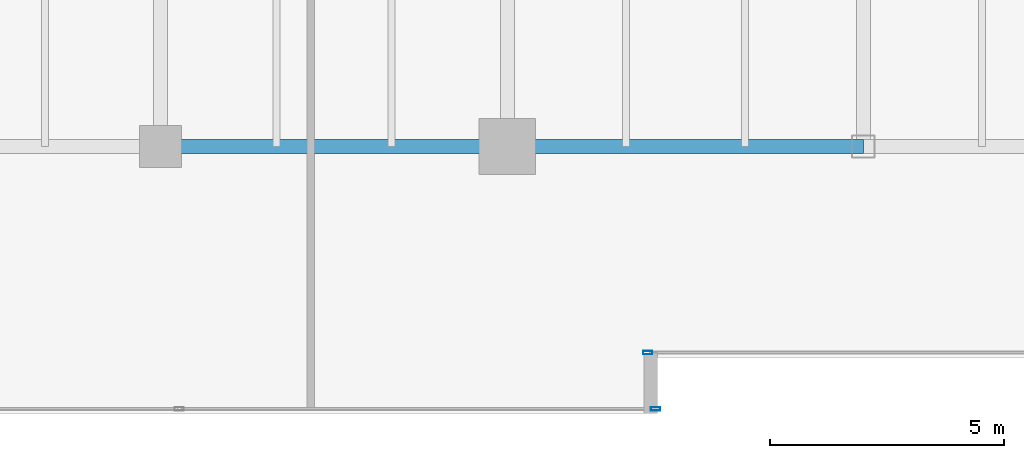
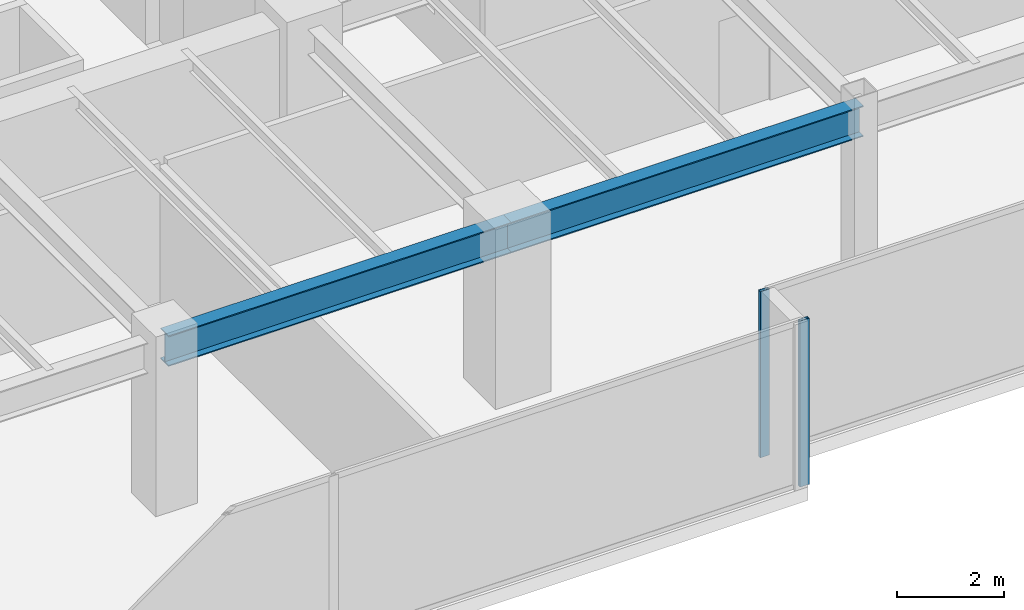
# One storey, part 4 of 30: 2 beams, 2 members, 2 elements without a shape of their own.
"""IFC4 building model written with IfcOpenShell, lengths in metres."""

import ifcopenshell
import ifcopenshell.guid

model = None  # the IFC model being written
_history = None  # IfcOwnerHistory: only IFC2X3 demands one
_inside = {}  # id of a spatial element -> (the spatial element, [elements in it])
_under = {}  # id of a project, library or spatial element -> (it, [spatial elements below it])
_declared = {}  # id of a project -> (the project, [libraries it declares])
_typed = {}  # id of a type object -> (the type object, [elements of that type])
_made_of = {}  # id of a material, layer set ... -> (it, [elements and type objects made of it])


def new_model(schema):
    """Start an empty IFC model of exactly this schema.

    Asked for "IFC4X3", IfcOpenShell would pick the latest addendum, in which some entities
    have other attributes; the version numbers below select the first issue.
    IFC2X3 requires an IfcOwnerHistory on every rooted entity: one is made here for all.
    """
    global model, _history
    if schema == "IFC4X3":
        model = ifcopenshell.file(schema_version=(4, 3, 0, 0))
    else:
        model = ifcopenshell.file(schema=schema)
    _inside.clear()
    _under.clear()
    _declared.clear()
    _typed.clear()
    _made_of.clear()
    _history = None
    if model.schema == "IFC2X3":
        org = make("IfcOrganization", Name="unknown")
        user = make(
            "IfcPersonAndOrganization",
            ThePerson=make("IfcPerson", FamilyName="unknown"),
            TheOrganization=org,
        )
        app = make(
            "IfcApplication",
            ApplicationDeveloper=org,
            Version="unknown",
            ApplicationFullName="unknown",
            ApplicationIdentifier="unknown",
        )
        _history = make(
            "IfcOwnerHistory",
            OwningUser=user,
            OwningApplication=app,
            ChangeAction="ADDED",
            CreationDate=0,
        )
    return model


def make(cls, **values):
    """One entity of the class cls with the attributes given. An attribute that is None is left unset."""
    return model.create_entity(
        cls, **{name: value for name, value in values.items() if value is not None}
    )


def rooted(cls, **values):
    """An entity with a GlobalId (a new one), such as an element, a storey or a relation."""
    return make(cls, GlobalId=ifcopenshell.guid.new(), OwnerHistory=_history, **values)


def si_unit(unit_type, name, prefix=None):
    """IfcSIUnit, for example si_unit("LENGTHUNIT", "METRE", prefix="MILLI")."""
    return make("IfcSIUnit", UnitType=unit_type, Prefix=prefix, Name=name)


def assignment(units):
    """IfcUnitAssignment: the units of a project."""
    return None if units is None else make("IfcUnitAssignment", Units=units)


def point(xyz):
    """IfcCartesianPoint."""
    return None if xyz is None else make("IfcCartesianPoint", Coordinates=xyz)


def direction(xyz):
    """IfcDirection."""
    return None if xyz is None else make("IfcDirection", DirectionRatios=xyz)


def frame(location, z_axis=None, x_axis=None):
    """IfcAxis2Placement3D, a coordinate frame: its origin and axes. An axis left out is left unset."""
    return make(
        "IfcAxis2Placement3D",
        Location=point(location),
        Axis=direction(z_axis),
        RefDirection=direction(x_axis),
    )


def frame_2d(location, x_axis=None):
    """IfcAxis2Placement2D, a coordinate frame in the plane: its origin and x axis."""
    return make(
        "IfcAxis2Placement2D", Location=point(location), RefDirection=direction(x_axis)
    )


def origin():
    """The frame at (0, 0, 0) with its axes left unset."""
    return frame((0.0, 0.0, 0.0))


def origin_2d():
    """The frame at (0, 0) in the plane with its x axis left unset."""
    return frame_2d((0.0, 0.0))


def place(relative_to, where):
    """IfcLocalPlacement: puts the frame where relative to a parent placement (None: the world)."""
    return make(
        "IfcLocalPlacement", PlacementRelTo=relative_to, RelativePlacement=where
    )


def context(
    kind, dimensions, precision=None, world=None, true_north=None, identifier=None
):
    """IfcGeometricRepresentationContext, for example the 3D "Model" context."""
    return make(
        "IfcGeometricRepresentationContext",
        ContextIdentifier=identifier,
        ContextType=kind,
        CoordinateSpaceDimension=dimensions,
        Precision=precision,
        WorldCoordinateSystem=world,
        TrueNorth=true_north,
    )


def subcontext(parent, identifier, kind, view, scale=None):
    """IfcGeometricRepresentationSubContext, for example "Body" below "Model"."""
    return make(
        "IfcGeometricRepresentationSubContext",
        ContextIdentifier=identifier,
        ContextType=kind,
        ParentContext=parent,
        TargetScale=scale,
        TargetView=view,
    )


def project(units=None, contexts=None):
    """IfcProject with its units and contexts."""
    return rooted(
        "IfcProject",
        Name="project",
        RepresentationContexts=contexts,
        UnitsInContext=assignment(units),
    )


def spatial(cls, under=None, at=None, **own):
    """A site, building, storey or space (cls), placed at a placement, below another one or the project."""
    s = rooted(cls, ObjectPlacement=at, **own)
    if under is not None:
        _under.setdefault(under.id(), (under, []))[1].append(s)
    return s


def profile(cls, at=None, kind="AREA", **sizes):
    """A parametric profile (cls). Its sizes go by their IFC names, for example OverallWidth=200.0."""
    return make(cls, ProfileType=kind, Position=at, **sizes)


def hollow_rectangle(**sizes):
    """IfcRectangleHollowProfileDef."""
    return profile("IfcRectangleHollowProfileDef", **sizes)


def i_section(**sizes):
    """IfcIShapeProfileDef."""
    return profile("IfcIShapeProfileDef", **sizes)


def extrude(swept, where, along, depth):
    """IfcExtrudedAreaSolid: the profile swept, set in the frame where, extruded along a direction by depth."""
    return make(
        "IfcExtrudedAreaSolid",
        SweptArea=swept,
        Position=where,
        ExtrudedDirection=direction(along),
        Depth=depth,
    )


def shape(context_of_items, identifier, shape_type, items):
    """IfcShapeRepresentation: the items that make up one representation, for example the "Body"."""
    return make(
        "IfcShapeRepresentation",
        ContextOfItems=context_of_items,
        RepresentationIdentifier=identifier,
        RepresentationType=shape_type,
        Items=items,
    )


def source(mapping_origin, context_of_items, identifier, shape_type, items):
    """IfcRepresentationMap: a shape defined once, which mapped items show again and again."""
    return make(
        "IfcRepresentationMap",
        MappingOrigin=mapping_origin,
        MappedRepresentation=shape(context_of_items, identifier, shape_type, items),
    )


def transform(
    local_origin,
    x_axis=None,
    y_axis=None,
    z_axis=None,
    scale=None,
    scale2=None,
    scale3=None,
    uniform=True,
):
    """IfcCartesianTransformationOperator3D, or its non-uniform kind. x_axis, y_axis, z_axis: its Axis1, 2, 3."""
    if uniform:
        return make(
            "IfcCartesianTransformationOperator3D",
            Axis1=direction(x_axis),
            Axis2=direction(y_axis),
            LocalOrigin=point(local_origin),
            Scale=scale,
            Axis3=direction(z_axis),
        )
    return make(
        "IfcCartesianTransformationOperator3DnonUniform",
        Axis1=direction(x_axis),
        Axis2=direction(y_axis),
        LocalOrigin=point(local_origin),
        Scale=scale,
        Axis3=direction(z_axis),
        Scale2=scale2,
        Scale3=scale3,
    )


def mapped(mapping_source, mapping_target):
    """IfcMappedItem: shows the shape of a source again, moved by a transform."""
    return make(
        "IfcMappedItem", MappingSource=mapping_source, MappingTarget=mapping_target
    )


def material(Name=None, Category=None):
    """IfcMaterial."""
    return make("IfcMaterial", Name=Name, Category=Category)


def layer(
    of_material, thickness, ventilated=None, Name=None, Category=None, Priority=None
):
    """IfcMaterialLayer: one layer of a wall or slab, of a material (None: an air gap)."""
    return make(
        "IfcMaterialLayer",
        Material=of_material,
        LayerThickness=thickness,
        IsVentilated=ventilated,
        Name=Name,
        Category=Category,
        Priority=Priority,
    )


def layer_set(layers, Name=None):
    """IfcMaterialLayerSet."""
    return make("IfcMaterialLayerSet", MaterialLayers=layers, LayerSetName=Name)


def material_profile(
    of_material, cross_section, Name=None, Category=None, Priority=None
):
    """IfcMaterialProfile: a cross section and its material."""
    return make(
        "IfcMaterialProfile",
        Name=Name,
        Material=of_material,
        Profile=cross_section,
        Priority=Priority,
        Category=Category,
    )


def profile_set(profiles, Name=None, composite=None):
    """IfcMaterialProfileSet."""
    return make(
        "IfcMaterialProfileSet",
        Name=Name,
        MaterialProfiles=profiles,
        CompositeProfile=composite,
    )


def made_of(thing, what):
    """Note that an element or type object is made of a material, layer set ...; save() writes the relation."""
    if what is not None:
        _made_of.setdefault(what.id(), (what, []))[1].append(thing)
    return thing


def type_object(cls, material=None, **own):
    """A type object (cls), such as IfcWallType, which elements share."""
    return made_of(rooted(cls, **own), material)


def type_shapes(of_type, sources):
    """Give a type object the sources (RepresentationMaps) that its elements show as mapped items."""
    of_type.RepresentationMaps = sources


def element(
    cls,
    number,
    at=None,
    inside=None,
    cuts=None,
    type_object=None,
    material=None,
    context=None,
    identifier="Body",
    shape_type=None,
    held_by="IfcProductDefinitionShape",
    body=None,
    shapes=None,
    **own,
):
    """One element of the class cls, such as IfcWall. Its Tag is "e" and its number.

    at: its placement. inside: the storey or other place that contains it. cuts: it is an
    opening in that element (IfcRelVoidsElement). A single representation is given by context,
    identifier, shape_type and body (its items); several are given by shapes. held_by: the class
    of the entity that holds the representations. save() writes the other relations.
    """
    e = rooted(cls, Tag="e%d" % number, ObjectPlacement=at, **own)
    if body is not None:
        shapes = [shape(context, identifier, shape_type, body)]
    if shapes is not None:
        e.Representation = make(held_by, Representations=shapes)
    if inside is not None:
        _inside.setdefault(inside.id(), (inside, []))[1].append(e)
    if cuts is not None:
        rooted(
            "IfcRelVoidsElement", RelatingBuildingElement=cuts, RelatedOpeningElement=e
        )
    if type_object is not None:
        _typed.setdefault(type_object.id(), (type_object, []))[1].append(e)
    return made_of(e, material)


def aggregate(whole, parts):
    """IfcRelAggregates: a whole, such as a stair, and the parts it consists of."""
    return rooted("IfcRelAggregates", RelatingObject=whole, RelatedObjects=parts)


def save(model, path):
    """Write the relations noted so far, then the file.

    IfcRelAggregates (storeys below a building ...), IfcRelContainedInSpatialStructure (elements
    in a storey), IfcRelDefinesByType, IfcRelAssociatesMaterial and IfcRelDeclares: one each for
    every whole, place, type object, material and project.
    """
    for whole, parts in _under.values():
        aggregate(whole, parts)
    for where, things in _inside.values():
        rooted(
            "IfcRelContainedInSpatialStructure",
            RelatedElements=things,
            RelatingStructure=where,
        )
    for kind, things in _typed.values():
        rooted("IfcRelDefinesByType", RelatedObjects=things, RelatingType=kind)
    for what, things in _made_of.values():
        rooted("IfcRelAssociatesMaterial", RelatedObjects=things, RelatingMaterial=what)
    for by, libraries in _declared.values():
        rooted("IfcRelDeclares", RelatingContext=by, RelatedDefinitions=libraries)
    model.write(path)


model = new_model("IFC4")

# Units and contexts
model_context = context("Model", 3, precision=1e-05, world=origin(), true_north=direction((0.0, 1.0)))
body_context = subcontext(model_context, "Body", "Model", "MODEL_VIEW")
ifc_project = project(units=[si_unit("LENGTHUNIT", "METRE"), si_unit("AREAUNIT", "SQUARE_METRE"), si_unit("VOLUMEUNIT", "CUBIC_METRE"), si_unit("PLANEANGLEUNIT", "RADIAN"), si_unit("MASSUNIT", "GRAM", prefix="KILO")], contexts=[model_context])

# Site, building, storey
site_placement = place(None, origin())
site = spatial("IfcSite", under=ifc_project, at=site_placement, CompositionType="ELEMENT")
building_placement = place(site_placement, origin())
building = spatial("IfcBuilding", under=site, at=building_placement, Name="Haelvirn Gate Laboratories", CompositionType="ELEMENT")
storey_placement = place(building_placement, frame((0.0, 0.0, 170.699951171875)))
storey = spatial("IfcBuildingStorey", under=building, at=storey_placement, Name="L41", CompositionType="ELEMENT", Elevation=170.699951171875)

# Beams
ifc_material_1 = material(Name="Steel SM355", Category="steel")
ifc_material_profile_1 = material_profile(ifc_material_1, i_section(OverallWidth=0.300048828125, OverallDepth=0.699951171875, WebThickness=0.012939453125, FlangeThickness=0.02392578125, at=origin_2d()), Name="H-700x300x13x24")
ifc_profile_set_1 = profile_set([ifc_material_profile_1], Name="Steel SM355")
beam_type = type_object("IfcBeamType", Name="BM-G-700", PredefinedType="BEAM", material=ifc_profile_set_1)
shared_shape_1 = source(origin(), body_context, "Body", "SweptSolid", [
    extrude(i_section(OverallWidth=0.300048828125, OverallDepth=0.699951171875, WebThickness=0.012939453125, FlangeThickness=0.02392578125, at=origin_2d()), origin(), (0.0, 0.0, 1.0), 7.39990234375),
])
beam_1_placement = place(storey_placement, frame((14.800048828125, 7.0, 3.43994140625), z_axis=(1.0, 0.0, 0.0), x_axis=(0.0, 1.0, 0.0)))
element("IfcBeam", 1, at=beam_1_placement, inside=storey, type_object=beam_type, Name="L41 Primary Girder Y7.0 (14.8-22.2)", PredefinedType="BEAM", context=body_context, shape_type="MappedRepresentation", body=[
    mapped(shared_shape_1, transform((0.0, 0.0, 0.0), scale=1.0)),
])
shared_shape_2 = source(origin(), body_context, "Body", "SweptSolid", [
    extrude(i_section(OverallWidth=0.300048828125, OverallDepth=0.699951171875, WebThickness=0.012939453125, FlangeThickness=0.02392578125, at=origin_2d()), origin(), (0.0, 0.0, 1.0), 7.60009765625),
])
type_shapes(beam_type, [shared_shape_1, shared_shape_2])
beam_2_placement = place(storey_placement, frame((22.199951171875, 7.0, 3.43994140625), z_axis=(1.0, 0.0, 0.0), x_axis=(0.0, 1.0, 0.0)))
element("IfcBeam", 2, at=beam_2_placement, inside=storey, type_object=beam_type, Name="L41 Primary Girder Y7.0 (22.2-29.8)", PredefinedType="BEAM", context=body_context, shape_type="MappedRepresentation", body=[
    mapped(shared_shape_2, transform((0.0, 0.0, 0.0), scale=1.0)),
])

# Curtain wall, member
ifc_material_2 = material(Name="Anodised bronze unitised aluminium & triple low-E glass", Category="aluminium")
ifc_layer = layer(ifc_material_2, 0.179931640625, Name="CW-SYS-3")
ifc_layer_set = layer_set([ifc_layer], Name="Anodised bronze unitised aluminium & triple low-E glass")
curtain_wall_type = type_object("IfcCurtainWallType", Name="CW-SYS-3", PredefinedType="NOTDEFINED", material=ifc_layer_set)
curtain_wall_1_placement = place(storey_placement, origin())
curtain_wall_1 = element("IfcCurtainWall", 3, at=curtain_wall_1_placement, inside=storey, type_object=curtain_wall_type, Name="L41 Unitised Curtain Wall CW-L41-P0-E00-1", PredefinedType="NOTDEFINED")
ifc_material_3 = material(Name="Extruded aluminium 6063-T6 (anodised bronze)", Category="aluminium")
ifc_material_profile_2 = material_profile(ifc_material_3, hollow_rectangle(XDim=0.074951171875, YDim=0.199951171875, WallThickness=0.0048828125, at=origin_2d()), Name="CWM-200x75x5")
ifc_profile_set_2 = profile_set([ifc_material_profile_2], Name="Extruded aluminium 6063-T6 (anodised bronze)")
member_type = type_object("IfcMemberType", Name="CWM-T200", PredefinedType="MULLION", material=ifc_profile_set_2)
shared_shape_3 = source(origin(), body_context, "Body", "SweptSolid", [
    extrude(hollow_rectangle(XDim=0.074951171875, YDim=0.199951171875, WallThickness=0.0048828125, at=origin_2d()), origin(), (0.0, 0.0, 1.0), 3.7900390625),
])
type_shapes(member_type, [shared_shape_3])
member_1_placement = place(storey_placement, frame((25.362548828125, 1.39990234375, 0.0), z_axis=(0.0, 0.0, 1.0), x_axis=(0.0, 1.0, 0.0)))
member_1 = element("IfcMember", 4, at=member_1_placement, type_object=member_type, Name="CW3 mullion 3", PredefinedType="MULLION", context=body_context, shape_type="MappedRepresentation", body=[
    mapped(shared_shape_3, transform((0.0, 0.0, 0.0), scale=1.0)),
])
aggregate(curtain_wall_1, [member_1])

curtain_wall_2_placement = place(storey_placement, origin())
curtain_wall_2 = element("IfcCurtainWall", 5, at=curtain_wall_2_placement, inside=storey, type_object=curtain_wall_type, Name="L41 Unitised Curtain Wall CW-L41-P0-E02-1", PredefinedType="NOTDEFINED")
member_2_placement = place(storey_placement, frame((25.197509765625, 2.60009765625, 0.0), z_axis=(0.0, 0.0, 1.0), x_axis=(0.0, 1.0, 0.0)))
member_2 = element("IfcMember", 6, at=member_2_placement, type_object=member_type, Name="CW3 mullion 1", PredefinedType="MULLION", context=body_context, shape_type="MappedRepresentation", body=[
    mapped(shared_shape_3, transform((0.0, 0.0, 0.0), scale=1.0)),
])
aggregate(curtain_wall_2, [member_2])

save(model, "model.ifc")
